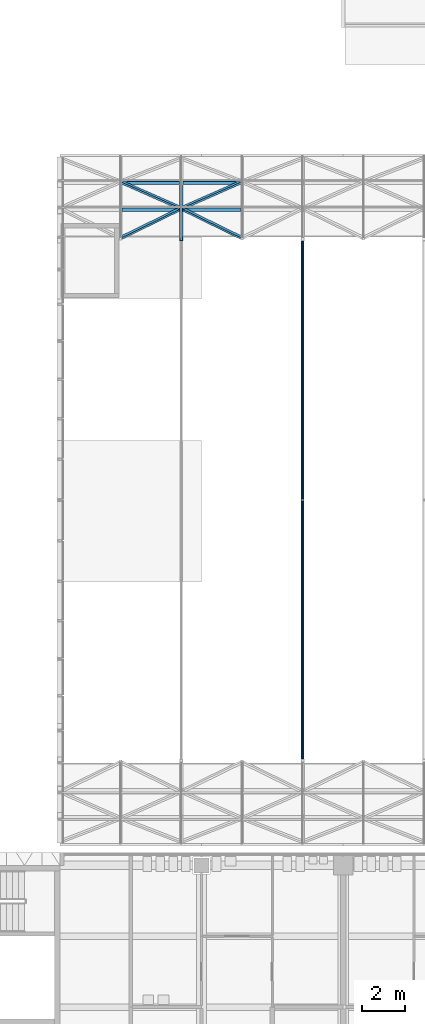
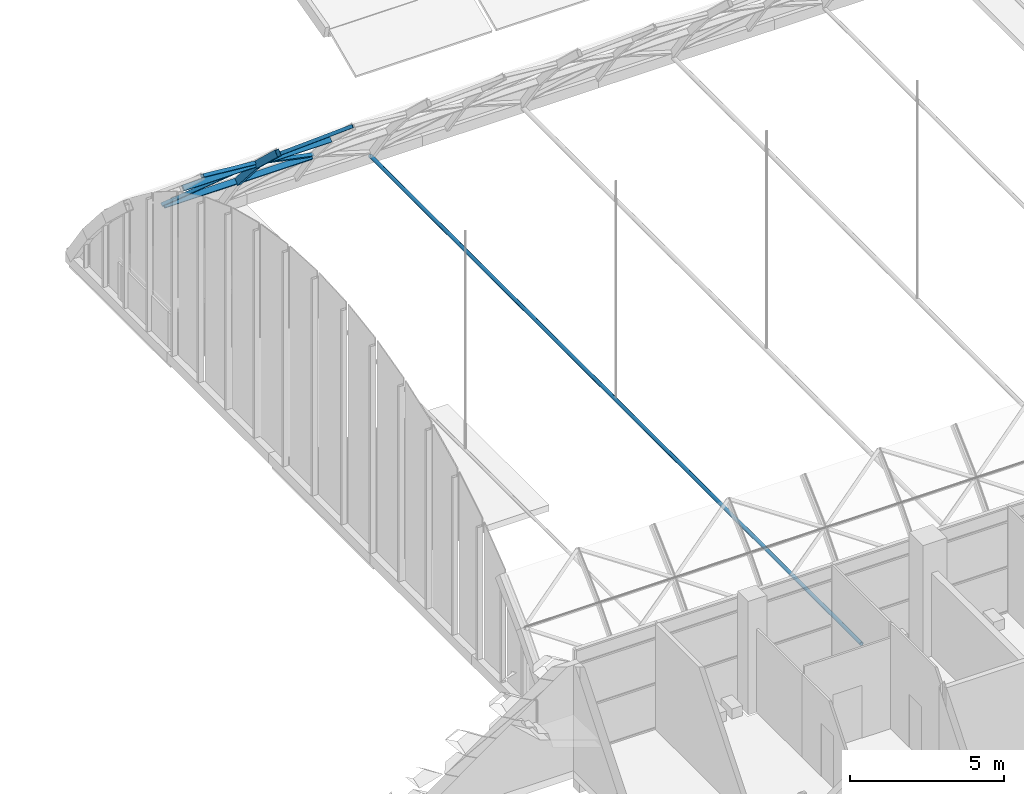
# One storey, part 21 of 109: 11 members.
"""IFC4 building model written with IfcOpenShell, lengths in metres."""

from ifc_helpers import new_model, si_unit, direction, frame, origin, origin_2d, place, context, subcontext, project, spatial, hollow_rectangle, hollow_circle, extrude, material, material_profile, profile_set, type_object, element, save


model = new_model("IFC4")

# Units and contexts
model_context = context("Model", 3, precision=1e-05, world=origin(), true_north=direction((0.0, 1.0)))
body_context = subcontext(model_context, "Body", "Model", "MODEL_VIEW")
ifc_project = project(units=[si_unit("LENGTHUNIT", "METRE"), si_unit("AREAUNIT", "SQUARE_METRE"), si_unit("VOLUMEUNIT", "CUBIC_METRE"), si_unit("PLANEANGLEUNIT", "RADIAN"), si_unit("MASSUNIT", "GRAM", prefix="KILO")], contexts=[model_context])

# Site, building, storey
site_placement = place(None, origin())
site = spatial("IfcSite", under=ifc_project, at=site_placement, CompositionType="ELEMENT")
building_placement = place(site_placement, origin())
building = spatial("IfcBuilding", under=site, at=building_placement, Name="Lantern Court Research Institute", CompositionType="ELEMENT")
storey_placement = place(building_placement, frame((0.0, 0.0, 14.39990234375)))
storey = spatial("IfcBuildingStorey", under=building, at=storey_placement, Name="L03", CompositionType="ELEMENT", Elevation=14.39990234375)

# Members
ifc_material_1 = material(Name="Structural steel S355", Category="steel")
ifc_material_profile_1 = material_profile(ifc_material_1, hollow_rectangle(XDim=0.1201171875, YDim=0.1201171875, WallThickness=0.008056640625, at=origin_2d()), Name="Gridshell haunch diagonal RHS 120 x 120 x 8")
ifc_profile_set_1 = profile_set([ifc_material_profile_1], Name="Structural steel S355")
member_type_1 = type_object("IfcMemberType", Name="Gridshell haunch diagonal RHS 120 x 120 x 8", PredefinedType="BRACE", material=ifc_profile_set_1)
for number, where, z_axis, x_axis, name in (
    (1, (42.428466796875, 52.330322265625, 4.652099609375), (0.829761681147, 0.406358344452, -0.382581296451), (-0.558117866133, 0.60414109168, -0.568786417601), "Gridshell diagonal"),
    (2, (45.257080078125, 53.71142578125, 3.352294921875), (-0.829775196139, 0.365828733116, -0.421476525917), (-0.558097772678, -0.543914119911, 0.62664527948), "Gridshell diagonal"),
    (3, (48.085693359375, 52.330322265625, 4.652099609375), (-0.829761681147, 0.406358344452, -0.382581296451), (-0.558117866133, -0.60414109168, 0.568786417601), "Gridshell diagonal"),
    (4, (45.257080078125, 53.71142578125, 3.352294921875), (0.829775196139, 0.365828733116, -0.421476525917), (-0.558097772678, 0.543914119911, -0.62664527948), "Gridshell diagonal"),
):
    element("IfcMember", number, at=place(storey_placement, frame(where, z_axis=z_axis, x_axis=x_axis)), inside=storey, type_object=member_type_1, Name=name, PredefinedType="BRACE", context=body_context, shape_type="SweptSolid", body=[
        extrude(hollow_rectangle(XDim=0.1201171875, YDim=0.1201171875, WallThickness=0.008056640625, at=origin_2d()), origin(), (0.0, 0.0, 1.0), 3.408935546875),
    ])
ifc_material_2 = material(Name="Structural steel S355", Category="steel")
ifc_material_profile_2 = material_profile(ifc_material_2, hollow_rectangle(XDim=0.10009765625, YDim=0.199951171875, WallThickness=0.008056640625, at=origin_2d()), Name="Gridshell purlin RHS 200 x 100 x 8")
ifc_profile_set_2 = profile_set([ifc_material_profile_2], Name="Structural steel S355")
member_type_2 = type_object("IfcMemberType", Name="Gridshell purlin RHS 200 x 100 x 8", PredefinedType="PURLIN", material=ifc_profile_set_2)
for number, where, z_axis, x_axis, name in (
    (5, (42.488525390625, 53.6845703125, 3.322265625), (1.0, 0.0, 0.0), (0.0, 0.692674230917, -0.721250587399), "Gridshell purlin"),
    (6, (45.33203125, 53.6845703125, 3.322265625), (1.0, 0.0, 0.0), (0.0, 0.692674230917, -0.721250587399), "Gridshell purlin"),
    (7, (42.488525390625, 54.925048828125, 1.893310546875), (1.0, 0.0, 0.0), (0.0, 0.616657332959, -0.787231689979), "Gridshell purlin"),
    (8, (45.33203125, 54.925048828125, 1.893310546875), (1.0, 0.0, 0.0), (0.0, 0.616657332959, -0.787231689979), "Gridshell purlin"),
):
    element("IfcMember", number, at=place(storey_placement, frame(where, z_axis=z_axis, x_axis=x_axis)), inside=storey, type_object=member_type_2, Name=name, PredefinedType="PURLIN", context=body_context, shape_type="SweptSolid", body=[
        extrude(hollow_rectangle(XDim=0.10009765625, YDim=0.199951171875, WallThickness=0.008056640625, at=origin_2d()), origin(), (0.0, 0.0, 1.0), 2.693603515625),
    ])
ifc_material_3 = material(Name="Structural steel S355", Category="steel")
ifc_material_profile_3 = material_profile(ifc_material_3, hollow_rectangle(XDim=0.14990234375, YDim=0.25, WallThickness=0.010009765625, at=origin_2d()), Name="Gridshell springing rib RHS 250 x 150 x 10")
ifc_profile_set_3 = profile_set([ifc_material_profile_3], Name="Structural steel S355")
member_type_3 = type_object("IfcMemberType", Name="Gridshell springing rib RHS 250 x 150 x 10", PredefinedType="RAFTER", material=ifc_profile_set_3)
member_1_placement = place(storey_placement, frame((45.257080078125, 52.285888671875, 4.604736328125), z_axis=(0.0, 0.728026662528, -0.685548815657), x_axis=(-1.0, 0.0, 0.0)))
element("IfcMember", 9, at=member_1_placement, inside=storey, type_object=member_type_3, Name="Gridshell rib", PredefinedType="RAFTER", context=body_context, shape_type="SweptSolid", body=[
    extrude(hollow_rectangle(XDim=0.14990234375, YDim=0.25, WallThickness=0.010009765625, at=origin_2d()), origin(), (0.0, 0.0, 1.0), 1.90234375),
])
member_2_placement = place(storey_placement, frame((45.257080078125, 53.662353515625, 3.309814453125), z_axis=(0.0, 0.655492193344, -0.755201949458), x_axis=(-1.0, 0.0, 0.0)))
element("IfcMember", 10, at=member_2_placement, inside=storey, type_object=member_type_3, Name="Gridshell rib", PredefinedType="RAFTER", context=body_context, shape_type="SweptSolid", body=[
    extrude(hollow_rectangle(XDim=0.14990234375, YDim=0.25, WallThickness=0.010009765625, at=origin_2d()), origin(), (0.0, 0.0, 1.0), 1.902587890625),
])
ifc_material_4 = material(Name="Structural steel S355", Category="steel")
ifc_material_profile_4 = material_profile(ifc_material_4, hollow_circle(Radius=0.06982421875, WallThickness=0.008056640625, at=origin_2d()), Name="Gridshell tie CHS 139.7 x 8")
ifc_profile_set_4 = profile_set([ifc_material_profile_4], Name="Structural steel S355")
member_type_4 = type_object("IfcMemberType", Name="Gridshell tie CHS 139.7 x 8", PredefinedType="MEMBER", material=ifc_profile_set_4)
member_3_placement = place(storey_placement, frame((50.914306640625, 24.14990234375, 0.2001953125), z_axis=(0.0, 1.0, 0.0), x_axis=(-1.0, 0.0, 0.0)))
element("IfcMember", 11, at=member_3_placement, inside=storey, type_object=member_type_4, Name="Gridshell tie", PredefinedType="MEMBER", context=body_context, shape_type="SweptSolid", body=[
    extrude(hollow_circle(Radius=0.06982421875, WallThickness=0.008056640625, at=origin_2d()), origin(), (0.0, 0.0, 1.0), 31.9501953125),
])

save(model, "model.ifc")
